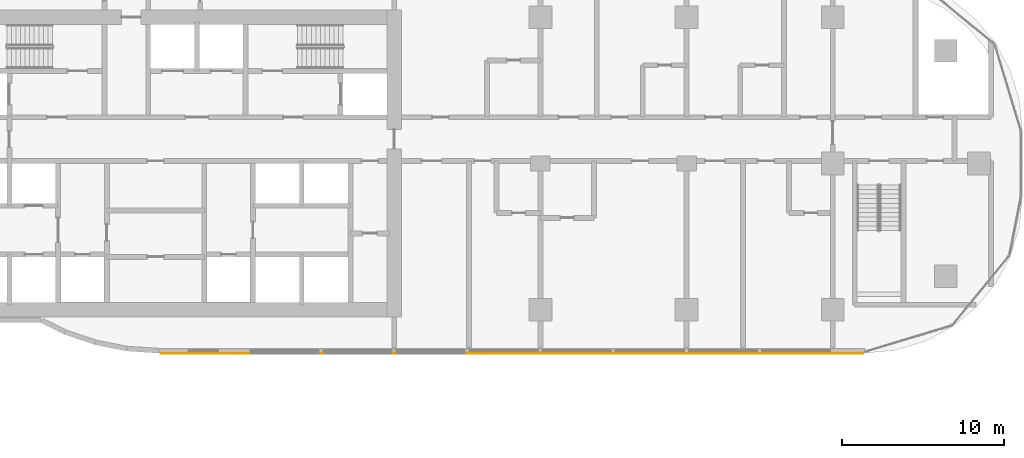
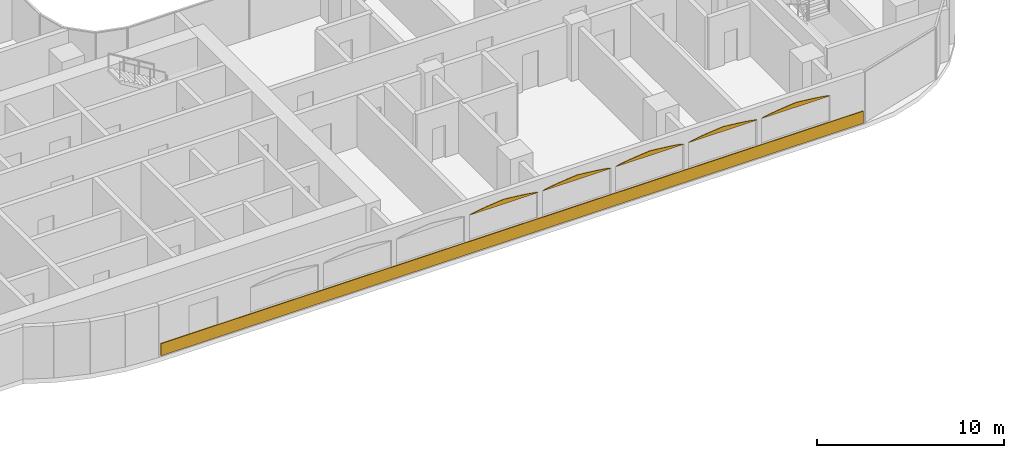
# One storey, part 30 of 34: 6 coverings.
"""IFC4 building model written with IfcOpenShell, lengths in metres."""

from ifc_helpers import new_model, si_unit, direction, frame, origin, origin_2d, place, context, subcontext, project, spatial, polyline, rectangle, outline, extrude, material, layer, layer_set, type_object, element, save


model = new_model("IFC4")

# Units and contexts
model_context = context("Model", 3, precision=1e-05, world=origin(), true_north=direction((0.0, 1.0)))
body_context = subcontext(model_context, "Body", "Model", "MODEL_VIEW")
ifc_project = project(units=[si_unit("LENGTHUNIT", "METRE"), si_unit("AREAUNIT", "SQUARE_METRE"), si_unit("VOLUMEUNIT", "CUBIC_METRE"), si_unit("PLANEANGLEUNIT", "RADIAN"), si_unit("MASSUNIT", "GRAM", prefix="KILO")], contexts=[model_context])

# Site, building, storey
site_placement = place(None, origin())
site = spatial("IfcSite", under=ifc_project, at=site_placement, CompositionType="ELEMENT")
building_placement = place(site_placement, origin())
building = spatial("IfcBuilding", under=site, at=building_placement, Name="Ogive Portal Towers", CompositionType="ELEMENT")
storey_placement = place(building_placement, frame((0.0, 0.0, 66.800048828125)))
storey = spatial("IfcBuildingStorey", under=building, at=storey_placement, Name="L15", CompositionType="ELEMENT", Elevation=66.800048828125)

# Coverings
ifc_material = material(Name="Limestone cladding on lightweight block wall", Category="masonry")
ifc_layer_1 = layer(ifc_material, 0.0400390625)
ifc_layer_set_1 = layer_set([ifc_layer_1], Name="LANCET HEAD STONE")
covering_type_1 = type_object("IfcCoveringType", Name="LANCET HEAD STONE", PredefinedType="CLADDING", material=ifc_layer_set_1)
for number, where, z_axis, x_axis, name in (
    (1, (63.14990234375, 18.820068359375, 2.599853515625), (0.0, 0.999947746022, 0.010222779737), (1.0, 0.0, 0.0), "Lancet head"),
    (2, (67.64990234375, 18.820068359375, 2.599853515625), (0.0, 0.999947746022, 0.010222779737), (1.0, 0.0, 0.0), "Lancet head"),
    (3, (72.14990234375, 18.820068359375, 2.599853515625), (0.0, 0.999947746022, 0.010222779737), (1.0, 0.0, 0.0), "Lancet head"),
    (4, (76.64990234375, 18.820068359375, 2.599853515625), (0.0, 0.999947746022, 0.010222779737), (1.0, 0.0, 0.0), "Lancet head"),
    (5, (81.14990234375, 18.820068359375, 2.599853515625), (0.0, 0.999947746022, 0.010222779737), (1.0, 0.0, 0.0), "Lancet head"),
):
    element("IfcCovering", number, at=place(storey_placement, frame(where, z_axis=z_axis, x_axis=x_axis)), inside=storey, type_object=covering_type_1, Name=name, PredefinedType="CLADDING", context=body_context, shape_type="SweptSolid", body=[
        extrude(outline(polyline([(0.0, 0.0), (4.2001953125, 0.0), (4.107177734375, -0.03760068321456534), (3.9375, -0.07519887063329651), (3.7177734375, -0.11255542598018069), (3.45751953125, -0.15015361339891187), (3.162353515625, -0.18751016874579607), (2.836181640625, -0.2251083561645272), (2.481201171875, -0.26270903937909257), (2.10009765625, -0.30006559472597677), (1.718994140625, -0.26270903937909257), (1.364013671875, -0.2251083561645272), (1.037841796875, -0.18751016874579607), (0.74267578125, -0.15015361339891187), (0.482421875, -0.11255542598018069), (0.2626953125, -0.07519887063329651), (0.093017578125, -0.03760068321456534), (0.0, 0.0)])), origin(), (0.0, 0.0, -1.0), 0.0400390625),
    ])
ifc_layer_2 = layer(ifc_material, 0.050048828125)
ifc_layer_set_2 = layer_set([ifc_layer_2], Name="SCREEN PERFORATED STONE")
covering_type_2 = type_object("IfcCoveringType", Name="SCREEN PERFORATED STONE", PredefinedType="CLADDING", material=ifc_layer_set_2)
covering_placement = place(storey_placement, frame((65.7490234375, 18.794921875, 0.10009765625), z_axis=(0.0, 0.0, 1.0), x_axis=(1.0, 0.0, 0.0)))
element("IfcCovering", 6, at=covering_placement, inside=storey, type_object=covering_type_2, Name="Tracery screen", PredefinedType="CLADDING", context=body_context, shape_type="SweptSolid", body=[
    extrude(rectangle(XDim=43.2783203125, YDim=0.050048828125, at=origin_2d()), origin(), (0.0, 0.0, 1.0), 0.800048828125),
])

save(model, "model.ifc")
